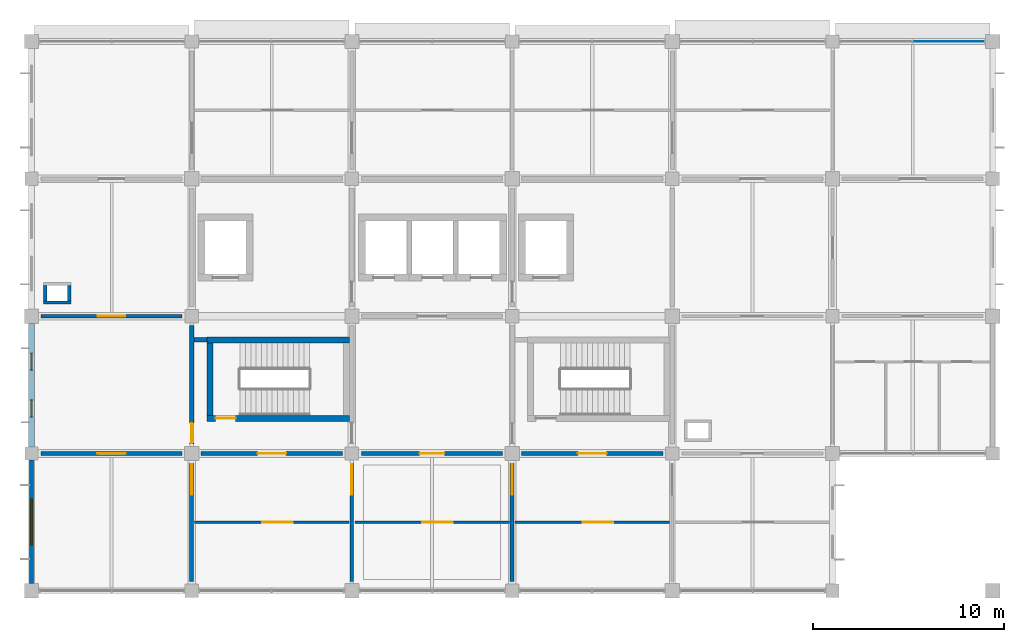
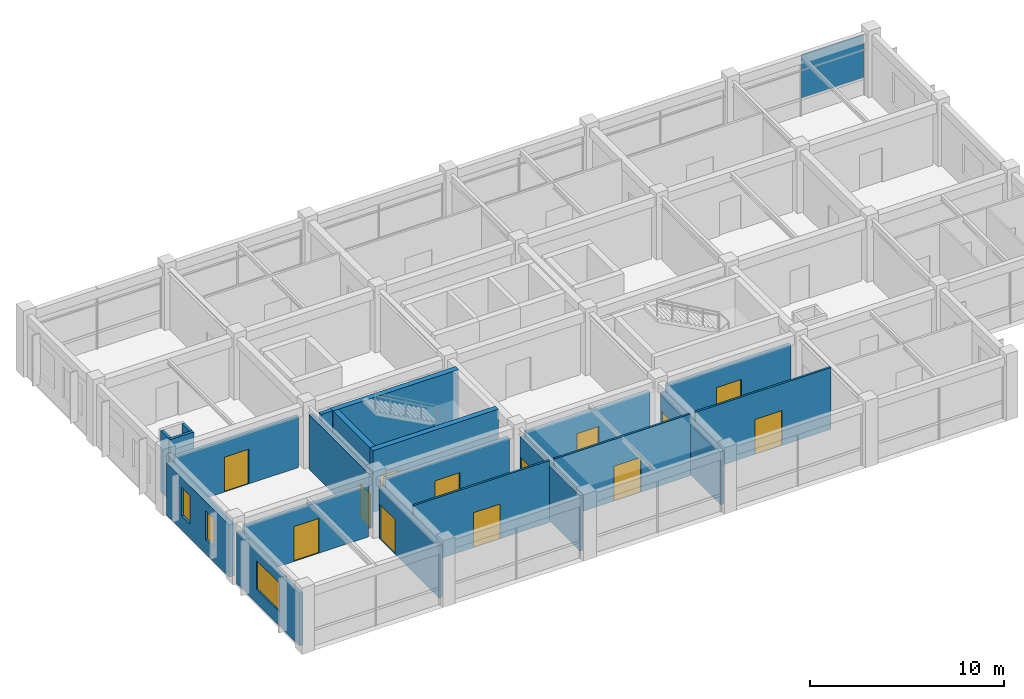
# One storey, part 8 of 13: 21 walls, 13 doors, 3 windows, 1 plate, 16 openings, 1 element without a shape of its own.
"""IFC4 building model written with IfcOpenShell, lengths in metres."""

from ifc_helpers import new_model, si_unit, derived_unit, direction, frame, frame_2d, origin, origin_2d, place, context, subcontext, project, spatial, rectangle, extrude, material, layer, layer_set, type_object, element, fill, aggregate, save


model = new_model("IFC4")

# Units and contexts
model_context = context("Model", 3, precision=1e-05, world=origin(), true_north=direction((0.0, 1.0)))
body_context = subcontext(model_context, "Body", "Model", "MODEL_VIEW")
ifc_project = project(units=[si_unit("LENGTHUNIT", "METRE"), si_unit("AREAUNIT", "SQUARE_METRE"), si_unit("VOLUMEUNIT", "CUBIC_METRE"), si_unit("PLANEANGLEUNIT", "RADIAN"), si_unit("MASSUNIT", "GRAM", prefix="KILO"), derived_unit("THERMALTRANSMITTANCEUNIT", [(si_unit("MASSUNIT", "GRAM", prefix="KILO"), 1), (si_unit("TIMEUNIT", "SECOND"), -3), (si_unit("THERMODYNAMICTEMPERATUREUNIT", "KELVIN"), -1)])], contexts=[model_context])

# Site, building, storey
site_placement = place(None, origin())
site = spatial("IfcSite", under=ifc_project, at=site_placement, CompositionType="ELEMENT")
building_placement = place(site_placement, origin())
building = spatial("IfcBuilding", under=site, at=building_placement, Name="Veldstrom Oceanarium and Marine Research Institute", CompositionType="ELEMENT")
storey_placement = place(building_placement, frame((0.0, 0.0, 39.60009765625)))
storey = spatial("IfcBuildingStorey", under=building, at=storey_placement, Name="L08", CompositionType="ELEMENT", Elevation=39.60009765625)

# Curtain wall, plate
ifc_material_1 = material(Name="Anodised Aluminium Framing", Category="aluminium")
curtain_wall_type = type_object("IfcCurtainWallType", Name="ARC-CW-CW04", PredefinedType="USERDEFINED", material=ifc_material_1)
curtain_wall_placement = place(storey_placement, origin())
curtain_wall = element("IfcCurtainWall", 1, at=curtain_wall_placement, inside=storey, type_object=curtain_wall_type, Name="Curtain Wall CW04 CW-L08-133", ObjectType="Curtain wall", PredefinedType="USERDEFINED")
ifc_material_2 = material(Name="Double Glazed Low-E IGU", Category="glass")
ifc_layer_1 = layer(ifc_material_2, 0.035888671875)
ifc_layer_set_1 = layer_set([ifc_layer_1], Name="ARC-PLT-CP03")
plate_type = type_object("IfcPlateType", Name="ARC-PLT-CP03", PredefinedType="CURTAIN_PANEL", material=ifc_layer_set_1)
plate_placement = place(storey_placement, frame((115.2861328125, 72.0, 1.08984375), z_axis=(0.0, 0.0, 1.0), x_axis=(1.0, 0.0, 0.0)))
plate = element("IfcPlate", 2, at=plate_placement, type_object=plate_type, Name="Curtain Vision Panel CW-L08-133-PNL-V2", PredefinedType="CURTAIN_PANEL", context=body_context, shape_type="SweptSolid", body=[
    extrude(rectangle(XDim=3.717529296875, YDim=0.035888671875, at=origin_2d()), origin(), (0.0, 0.0, 1.0), 2.739990234375),
])
aggregate(curtain_wall, [plate])

# Wall, openings, windows
ifc_material_3 = material(Name="Masonry Cavity Wall", Category="masonry")
ifc_layer_2 = layer(ifc_material_3, 0.31005859375)
ifc_layer_set_2 = layer_set([ifc_layer_2], Name="ARC-WAL-EW1")
wall_type_1 = type_object("IfcWallType", Name="ARC-WAL-EW1", PredefinedType="SOLIDWALL", material=ifc_layer_set_2)
wall_1_placement = place(storey_placement, frame((67.199951171875, 50.75, 0.0), z_axis=(0.0, 0.0, 1.0), x_axis=(0.0, 1.0, 0.0)))
wall_1 = element("IfcWall", 3, at=wall_1_placement, inside=storey, type_object=wall_type_1, Name="Exterior Facade Wall EW1 L08-205", PredefinedType="SOLIDWALL", context=body_context, shape_type="SweptSolid", body=[
    extrude(rectangle(XDim=6.47509765625, YDim=0.31005859375, at=frame_2d((3.237548828125, 0.0))), origin(), (0.0, 0.0, 1.0), 3.294921875),
])
opening_1_placement = place(wall_1_placement, frame((1.558349609375, 0.0, 0.89990234375)))
opening_1 = element("IfcOpeningElement", 4, at=opening_1_placement, cuts=wall_1, Name="Opening W06", PredefinedType="OPENING", context=body_context, shape_type="SweptSolid", body=[
    extrude(rectangle(XDim=0.89990234375, YDim=1.800048828125, at=frame_2d((0.449951171875, 0.89990234375))), frame((0.0, 0.1650390625, 0.0), z_axis=(0.0, -1.0, 0.0), x_axis=(1.0, 0.0, 0.0)), (0.0, 0.0, 1.0), 0.330078125),
])
opening_2_placement = place(wall_1_placement, frame((4.0166015625, 0.0, 0.89990234375)))
opening_2 = element("IfcOpeningElement", 5, at=opening_2_placement, cuts=wall_1, Name="Opening W06", PredefinedType="OPENING", context=body_context, shape_type="SweptSolid", body=[
    extrude(rectangle(XDim=0.89990234375, YDim=1.800048828125, at=frame_2d((0.449951171875, 0.89990234375))), frame((0.0, 0.1650390625, 0.0), z_axis=(0.0, -1.0, 0.0), x_axis=(1.0, 0.0, 0.0)), (0.0, 0.0, 1.0), 0.330078125),
])
ifc_material_4 = material(Name="Double Glazed Low-E IGU", Category="glass")
window_type_1 = type_object("IfcWindowType", Name="ARC-WIN-W06", PartitioningType="SINGLE_PANEL", PredefinedType="WINDOW", material=ifc_material_4)
window_1_placement = place(opening_1_placement, origin())
window_1 = element("IfcWindow", 6, at=window_1_placement, inside=storey, type_object=window_type_1, Name="Facade Window W06 L08-0177", OverallHeight=1.800048828125, OverallWidth=0.89990234375, PartitioningType="SINGLE_PANEL", PredefinedType="WINDOW", context=body_context, shape_type="SweptSolid", body=[
    extrude(rectangle(XDim=0.89990234375, YDim=1.800048828125, at=frame_2d((0.449951171875, 0.89990234375))), frame((0.0, 0.030029296875, 0.0), z_axis=(0.0, -1.0, 0.0), x_axis=(1.0, 0.0, 0.0)), (0.0, 0.0, 1.0), 0.06005859375),
])
fill(opening_1, window_1)
window_2_placement = place(opening_2_placement, origin())
window_2 = element("IfcWindow", 7, at=window_2_placement, inside=storey, type_object=window_type_1, Name="Facade Window W06 L08-0178", OverallHeight=1.800048828125, OverallWidth=0.89990234375, PartitioningType="SINGLE_PANEL", PredefinedType="WINDOW", context=body_context, shape_type="SweptSolid", body=[
    extrude(rectangle(XDim=0.89990234375, YDim=1.800048828125, at=frame_2d((0.449951171875, 0.89990234375))), frame((0.0, 0.030029296875, 0.0), z_axis=(0.0, -1.0, 0.0), x_axis=(1.0, 0.0, 0.0)), (0.0, 0.0, 1.0), 0.06005859375),
])
fill(opening_2, window_2)

# Wall, opening, window
ifc_material_5 = material(Name="Masonry Cavity Wall", Category="masonry")
ifc_layer_3 = layer(ifc_material_5, 0.215087890625)
ifc_layer_set_3 = layer_set([ifc_layer_3], Name="ARC-WAL-EW6")
wall_type_2 = type_object("IfcWallType", Name="ARC-WAL-EW6", PredefinedType="SOLIDWALL", material=ifc_layer_set_3)
wall_2_placement = place(storey_placement, frame((67.199951171875, 43.574951171875, 0.0), z_axis=(0.0, 0.0, 1.0), x_axis=(0.0, 1.0, 0.0)))
wall_2 = element("IfcWall", 8, at=wall_2_placement, inside=storey, type_object=wall_type_2, Name="Exterior Facade Wall EW6 L08-204", PredefinedType="SOLIDWALL", context=body_context, shape_type="SweptSolid", body=[
    extrude(rectangle(XDim=6.47509765625, YDim=0.215087890625, at=frame_2d((3.237548828125, 0.0))), origin(), (0.0, 0.0, 1.0), 3.294921875),
])
opening_3_placement = place(wall_2_placement, frame((2.03759765625, 0.0, 0.89990234375)))
opening_3 = element("IfcOpeningElement", 9, at=opening_3_placement, cuts=wall_2, Name="Opening W01", PredefinedType="OPENING", context=body_context, shape_type="SweptSolid", body=[
    extrude(rectangle(XDim=2.39990234375, YDim=1.800048828125, at=frame_2d((1.199951171875, 0.89990234375))), frame((0.0, 0.117431640625, 0.0), z_axis=(0.0, -1.0, 0.0), x_axis=(1.0, 0.0, 0.0)), (0.0, 0.0, 1.0), 0.235107421875),
])
ifc_material_6 = material(Name="Double Glazed Low-E IGU", Category="glass")
window_type_2 = type_object("IfcWindowType", Name="ARC-WIN-W01", PartitioningType="SINGLE_PANEL", PredefinedType="WINDOW", material=ifc_material_6)
window_3_placement = place(opening_3_placement, origin())
window_3 = element("IfcWindow", 10, at=window_3_placement, inside=storey, type_object=window_type_2, Name="Facade Window W01 L08-0176", OverallHeight=1.800048828125, OverallWidth=2.39990234375, PartitioningType="SINGLE_PANEL", PredefinedType="WINDOW", context=body_context, shape_type="SweptSolid", body=[
    extrude(rectangle(XDim=2.39990234375, YDim=1.800048828125, at=frame_2d((1.199951171875, 0.89990234375))), frame((0.0, 0.030029296875, 0.0), z_axis=(0.0, -1.0, 0.0), x_axis=(1.0, 0.0, 0.0)), (0.0, 0.0, 1.0), 0.06005859375),
])
fill(opening_3, window_3)

# Wall, opening, door
ifc_material_7 = material(Name="Masonry Fire Compartment Wall", Category="masonry")
ifc_layer_4 = layer(ifc_material_7, 0.22998046875)
ifc_layer_set_4 = layer_set([ifc_layer_4], Name="ARC-WAL-PT1")
wall_type_3 = type_object("IfcWallType", Name="ARC-WAL-PT1", PredefinedType="PARTITIONING", material=ifc_layer_set_4)
wall_3_placement = place(storey_placement, frame((75.60009765625, 50.89990234375, 0.0), z_axis=(0.0, 0.0, 1.0), x_axis=(0.0, 1.0, 0.0)))
wall_3 = element("IfcWall", 11, at=wall_3_placement, inside=storey, type_object=wall_type_3, Name="Interior Partition PT1 L08-1568", PredefinedType="PARTITIONING", context=body_context, shape_type="SweptSolid", body=[
    extrude(rectangle(XDim=6.2001953125, YDim=0.22998046875, at=frame_2d((3.10009765625, 0.0))), origin(), (0.0, 0.0, 1.0), 3.44482421875),
])
opening_4_placement = place(wall_3_placement, frame((0.050048828125, 0.0, 0.0)))
opening_4 = element("IfcOpeningElement", 12, at=opening_4_placement, cuts=wall_3, Name="Opening D-L08-951", PredefinedType="OPENING", context=body_context, shape_type="SweptSolid", body=[
    extrude(rectangle(XDim=1.050048828125, YDim=2.14990234375, at=frame_2d((0.52490234375, 1.074951171875))), frame((0.0, 0.125, 0.0), z_axis=(0.0, -1.0, 0.0), x_axis=(1.0, 0.0, 0.0)), (0.0, 0.0, 1.0), 0.25),
])
ifc_material_8 = material(Name="Painted Steel Fire Door", Category="steel")
door_type_1 = type_object("IfcDoorType", Name="ARC-DOR-SD1", OperationType="SINGLE_SWING_LEFT", PredefinedType="DOOR", material=ifc_material_8)
door_1_placement = place(opening_4_placement, origin())
door_1 = element("IfcDoor", 13, at=door_1_placement, inside=storey, type_object=door_type_1, Name="Interior Door D-L08-951", OperationType="SINGLE_SWING_LEFT", OverallHeight=2.14990234375, OverallWidth=1.050048828125, PredefinedType="DOOR", context=body_context, shape_type="SweptSolid", body=[
    extrude(rectangle(XDim=1.050048828125, YDim=2.14990234375, at=frame_2d((0.52490234375, 1.074951171875))), frame((0.0, 0.02490234375, 0.0), z_axis=(0.0, -1.0, 0.0), x_axis=(1.0, 0.0, 0.0)), (0.0, 0.0, 1.0), 0.050048828125),
])
fill(opening_4, door_1)

wall_4_placement = place(storey_placement, frame((76.10009765625, 50.39990234375, 0.0), z_axis=(0.0, 0.0, 1.0), x_axis=(1.0, 0.0, 0.0)))
wall_4 = element("IfcWall", 14, at=wall_4_placement, inside=storey, type_object=wall_type_3, Name="Interior Partition PT1 L08-1574", PredefinedType="PARTITIONING", context=body_context, shape_type="SweptSolid", body=[
    extrude(rectangle(XDim=7.39990234375, YDim=0.22998046875, at=frame_2d((3.699951171875, 0.0))), origin(), (0.0, 0.0, 1.0), 3.294921875),
])
opening_5_placement = place(wall_4_placement, frame((2.949951171875, 0.0, 0.0)))
opening_5 = element("IfcOpeningElement", 15, at=opening_5_placement, cuts=wall_4, Name="Opening D-L08-956", PredefinedType="OPENING", context=body_context, shape_type="SweptSolid", body=[
    extrude(rectangle(XDim=1.5, YDim=2.14990234375, at=frame_2d((0.75, 1.074951171875))), frame((0.0, 0.125, 0.0), z_axis=(0.0, -1.0, 0.0), x_axis=(1.0, 0.0, 0.0)), (0.0, 0.0, 1.0), 0.25),
])
ifc_material_9 = material(Name="Painted Steel Lobby Fire Door", Category="steel")
door_type_2 = type_object("IfcDoorType", Name="ARC-DOR-SD2", OperationType="DOUBLE_DOOR_SINGLE_SWING", PredefinedType="DOOR", material=ifc_material_9)
door_2_placement = place(opening_5_placement, frame((1.5, 0.0, 0.0), z_axis=(0.0, 0.0, 1.0), x_axis=(-1.0, 0.0, 0.0)))
door_2 = element("IfcDoor", 16, at=door_2_placement, inside=storey, type_object=door_type_2, Name="Interior Door D-L08-956", OperationType="DOUBLE_DOOR_SINGLE_SWING", OverallHeight=2.14990234375, OverallWidth=1.5, PredefinedType="DOOR", context=body_context, shape_type="SweptSolid", body=[
    extrude(rectangle(XDim=1.5, YDim=2.14990234375, at=frame_2d((0.75, 1.074951171875))), frame((0.0, 0.02490234375, 0.0), z_axis=(0.0, -1.0, 0.0), x_axis=(1.0, 0.0, 0.0)), (0.0, 0.0, 1.0), 0.050048828125),
])
fill(opening_5, door_2)

# Wall
wall_5_placement = place(storey_placement, frame((75.719970703125, 56.360107421875, 0.0), z_axis=(0.0, 0.0, 1.0), x_axis=(1.0, 0.0, 0.0)))
element("IfcWall", 17, at=wall_5_placement, inside=storey, type_object=wall_type_3, Name="Interior Partition PT1 L08-1576", PredefinedType="PARTITIONING", context=body_context, shape_type="SweptSolid", body=[
    extrude(rectangle(XDim=0.679931640625, YDim=0.22998046875, at=frame_2d((0.33984375, 0.0))), origin(), (0.0, 0.0, 1.0), 3.89990234375),
])

# Wall, opening, door
wall_6_placement = place(storey_placement, frame((92.89990234375, 50.39990234375, 0.0), z_axis=(0.0, 0.0, 1.0), x_axis=(1.0, 0.0, 0.0)))
wall_6 = element("IfcWall", 18, at=wall_6_placement, inside=storey, type_object=wall_type_3, Name="Interior Partition PT1 L08-1588", PredefinedType="PARTITIONING", context=body_context, shape_type="SweptSolid", body=[
    extrude(rectangle(XDim=7.400146484375, YDim=0.22998046875, at=frame_2d((3.7001953125, 0.0))), origin(), (0.0, 0.0, 1.0), 3.294921875),
])
opening_6_placement = place(wall_6_placement, frame((2.949951171875, 0.0, 0.0)))
opening_6 = element("IfcOpeningElement", 19, at=opening_6_placement, cuts=wall_6, Name="Opening D-L08-966", PredefinedType="OPENING", context=body_context, shape_type="SweptSolid", body=[
    extrude(rectangle(XDim=1.5, YDim=2.14990234375, at=frame_2d((0.75, 1.074951171875))), frame((0.0, 0.125, 0.0), z_axis=(0.0, -1.0, 0.0), x_axis=(1.0, 0.0, 0.0)), (0.0, 0.0, 1.0), 0.25),
])
door_3_placement = place(opening_6_placement, frame((1.5, 0.0, 0.0), z_axis=(0.0, 0.0, 1.0), x_axis=(-1.0, 0.0, 0.0)))
door_3 = element("IfcDoor", 20, at=door_3_placement, inside=storey, type_object=door_type_2, Name="Interior Door D-L08-966", OperationType="DOUBLE_DOOR_SINGLE_SWING", OverallHeight=2.14990234375, OverallWidth=1.5, PredefinedType="DOOR", context=body_context, shape_type="SweptSolid", body=[
    extrude(rectangle(XDim=1.5, YDim=2.14990234375, at=frame_2d((0.75, 1.074951171875))), frame((0.0, 0.02490234375, 0.0), z_axis=(0.0, -1.0, 0.0), x_axis=(1.0, 0.0, 0.0)), (0.0, 0.0, 1.0), 0.050048828125),
])
fill(opening_6, door_3)

ifc_material_10 = material(Name="Gypsum Acoustic Lab Partition", Category="gypsum")
ifc_layer_5 = layer(ifc_material_10, 0.1201171875)
ifc_layer_set_5 = layer_set([ifc_layer_5], Name="ARC-WAL-PT10")
wall_type_4 = type_object("IfcWallType", Name="ARC-WAL-PT10", PredefinedType="PARTITIONING", material=ifc_layer_set_5)
wall_7_placement = place(storey_placement, frame((75.75, 46.800048828125, 0.0), z_axis=(0.0, 0.0, 1.0), x_axis=(1.0, 0.0, 0.0)))
wall_7 = element("IfcWall", 21, at=wall_7_placement, inside=storey, type_object=wall_type_4, Name="Laboratory Suite Partition L08-9/6", PredefinedType="PARTITIONING", context=body_context, shape_type="SweptSolid", body=[
    extrude(rectangle(XDim=8.10009765625, YDim=0.1201171875, at=frame_2d((4.050048828125, 0.0))), origin(), (0.0, 0.0, 1.0), 3.89990234375),
])
opening_7_placement = place(wall_7_placement, frame((3.550048828125, 0.0, 0.0)))
opening_7 = element("IfcOpeningElement", 22, at=opening_7_placement, cuts=wall_7, Name="Opening D-L08-S941", PredefinedType="OPENING", context=body_context, shape_type="SweptSolid", body=[
    extrude(rectangle(XDim=1.60009765625, YDim=2.199951171875, at=frame_2d((0.800048828125, 1.10009765625))), frame((0.0, 0.070068359375, 0.0), z_axis=(0.0, -1.0, 0.0), x_axis=(1.0, 0.0, 0.0)), (0.0, 0.0, 1.0), 0.14013671875),
])
ifc_material_11 = material(Name="Acoustic Timber Corridor Door", Category="wood")
door_type_3 = type_object("IfcDoorType", Name="ARC-DOR-ID02", OperationType="DOUBLE_DOOR_SINGLE_SWING", PredefinedType="DOOR", material=ifc_material_11)
door_4_placement = place(opening_7_placement, frame((1.60009765625, 0.0, 0.0), z_axis=(0.0, 0.0, 1.0), x_axis=(-1.0, 0.0, 0.0)))
door_4 = element("IfcDoor", 23, at=door_4_placement, inside=storey, type_object=door_type_3, Name="Suite Interior Door D-L08-S941", OperationType="SINGLE_SWING_LEFT", OverallHeight=2.199951171875, OverallWidth=1.60009765625, PredefinedType="DOOR", context=body_context, shape_type="SweptSolid", body=[
    extrude(rectangle(XDim=1.60009765625, YDim=2.199951171875, at=frame_2d((0.800048828125, 1.10009765625))), frame((0.0, 0.02490234375, 0.0), z_axis=(0.0, -1.0, 0.0), x_axis=(1.0, 0.0, 0.0)), (0.0, 0.0, 1.0), 0.050048828125),
])
fill(opening_7, door_4)

wall_8_placement = place(storey_placement, frame((84.14990234375, 46.800048828125, 0.0), z_axis=(0.0, 0.0, 1.0), x_axis=(1.0, 0.0, 0.0)))
wall_8 = element("IfcWall", 24, at=wall_8_placement, inside=storey, type_object=wall_type_4, Name="Laboratory Suite Partition L08-10/6", PredefinedType="PARTITIONING", context=body_context, shape_type="SweptSolid", body=[
    extrude(rectangle(XDim=8.10009765625, YDim=0.1201171875, at=frame_2d((4.050048828125, 0.0))), origin(), (0.0, 0.0, 1.0), 3.89990234375),
])
opening_8_placement = place(wall_8_placement, frame((3.550048828125, 0.0, 0.0)))
opening_8 = element("IfcOpeningElement", 25, at=opening_8_placement, cuts=wall_8, Name="Opening D-L08-S942", PredefinedType="OPENING", context=body_context, shape_type="SweptSolid", body=[
    extrude(rectangle(XDim=1.60009765625, YDim=2.199951171875, at=frame_2d((0.800048828125, 1.10009765625))), frame((0.0, 0.070068359375, 0.0), z_axis=(0.0, -1.0, 0.0), x_axis=(1.0, 0.0, 0.0)), (0.0, 0.0, 1.0), 0.14013671875),
])
door_5_placement = place(opening_8_placement, frame((1.60009765625, 0.0, 0.0), z_axis=(0.0, 0.0, 1.0), x_axis=(-1.0, 0.0, 0.0)))
door_5 = element("IfcDoor", 26, at=door_5_placement, inside=storey, type_object=door_type_3, Name="Suite Interior Door D-L08-S942", OperationType="SINGLE_SWING_RIGHT", OverallHeight=2.199951171875, OverallWidth=1.60009765625, PredefinedType="DOOR", context=body_context, shape_type="SweptSolid", body=[
    extrude(rectangle(XDim=1.60009765625, YDim=2.199951171875, at=frame_2d((0.800048828125, 1.10009765625))), frame((0.0, 0.02490234375, 0.0), z_axis=(0.0, -1.0, 0.0), x_axis=(1.0, 0.0, 0.0)), (0.0, 0.0, 1.0), 0.050048828125),
])
fill(opening_8, door_5)

wall_9_placement = place(storey_placement, frame((92.550048828125, 46.800048828125, 0.0), z_axis=(0.0, 0.0, 1.0), x_axis=(1.0, 0.0, 0.0)))
wall_9 = element("IfcWall", 27, at=wall_9_placement, inside=storey, type_object=wall_type_4, Name="Laboratory Suite Partition L08-11/6", PredefinedType="PARTITIONING", context=body_context, shape_type="SweptSolid", body=[
    extrude(rectangle(XDim=8.099853515625, YDim=0.1201171875, at=frame_2d((4.0498046875, 0.0))), origin(), (0.0, 0.0, 1.0), 3.89990234375),
])
opening_9_placement = place(wall_9_placement, frame((3.550048828125, 0.0, 0.0)))
opening_9 = element("IfcOpeningElement", 28, at=opening_9_placement, cuts=wall_9, Name="Opening D-L08-S943", PredefinedType="OPENING", context=body_context, shape_type="SweptSolid", body=[
    extrude(rectangle(XDim=1.60009765625, YDim=2.199951171875, at=frame_2d((0.800048828125, 1.10009765625))), frame((0.0, 0.070068359375, 0.0), z_axis=(0.0, -1.0, 0.0), x_axis=(1.0, 0.0, 0.0)), (0.0, 0.0, 1.0), 0.14013671875),
])
door_6_placement = place(opening_9_placement, frame((1.60009765625, 0.0, 0.0), z_axis=(0.0, 0.0, 1.0), x_axis=(-1.0, 0.0, 0.0)))
door_6 = element("IfcDoor", 29, at=door_6_placement, inside=storey, type_object=door_type_3, Name="Suite Interior Door D-L08-S943", OperationType="SINGLE_SWING_LEFT", OverallHeight=2.199951171875, OverallWidth=1.60009765625, PredefinedType="DOOR", context=body_context, shape_type="SweptSolid", body=[
    extrude(rectangle(XDim=1.60009765625, YDim=2.199951171875, at=frame_2d((0.800048828125, 1.10009765625))), frame((0.0, 0.02490234375, 0.0), z_axis=(0.0, -1.0, 0.0), x_axis=(1.0, 0.0, 0.0)), (0.0, 0.0, 1.0), 0.050048828125),
])
fill(opening_9, door_6)

ifc_material_12 = material(Name="Masonry Acoustic Lab Partition", Category="masonry")
ifc_layer_6 = layer(ifc_material_12, 0.205078125)
ifc_layer_set_6 = layer_set([ifc_layer_6], Name="ARC-WAL-PT2")
wall_type_5 = type_object("IfcWallType", Name="ARC-WAL-PT2", PredefinedType="PARTITIONING", material=ifc_layer_set_6)
wall_10_placement = place(storey_placement, frame((75.60009765625, 43.699951171875, 0.0), z_axis=(0.0, 0.0, 1.0), x_axis=(0.0, 1.0, 0.0)))
wall_10 = element("IfcWall", 30, at=wall_10_placement, inside=storey, type_object=wall_type_5, Name="Interior Partition PT2 L08-1566", PredefinedType="PARTITIONING", context=body_context, shape_type="SweptSolid", body=[
    extrude(rectangle(XDim=6.199951171875, YDim=0.205078125, at=frame_2d((3.10009765625, 0.0))), origin(), (0.0, 0.0, 1.0), 3.294921875),
])
opening_10_placement = place(wall_10_placement, frame((4.550048828125, 0.0, 0.0)))
opening_10 = element("IfcOpeningElement", 31, at=opening_10_placement, cuts=wall_10, Name="Opening D-L08-949", PredefinedType="OPENING", context=body_context, shape_type="SweptSolid", body=[
    extrude(rectangle(XDim=1.60009765625, YDim=2.199951171875, at=frame_2d((0.800048828125, 1.10009765625))), frame((0.0, 0.112548828125, 0.0), z_axis=(0.0, -1.0, 0.0), x_axis=(1.0, 0.0, 0.0)), (0.0, 0.0, 1.0), 0.22509765625),
])
door_7_placement = place(opening_10_placement, frame((1.60009765625, 0.0, 0.0), z_axis=(0.0, 0.0, 1.0), x_axis=(-1.0, 0.0, 0.0)))
door_7 = element("IfcDoor", 32, at=door_7_placement, inside=storey, type_object=door_type_3, Name="Interior Door D-L08-949", OperationType="DOUBLE_DOOR_SINGLE_SWING", OverallHeight=2.199951171875, OverallWidth=1.60009765625, PredefinedType="DOOR", context=body_context, shape_type="SweptSolid", body=[
    extrude(rectangle(XDim=1.60009765625, YDim=2.199951171875, at=frame_2d((0.800048828125, 1.10009765625))), frame((0.0, 0.02490234375, 0.0), z_axis=(0.0, -1.0, 0.0), x_axis=(1.0, 0.0, 0.0)), (0.0, 0.0, 1.0), 0.050048828125),
])
fill(opening_10, door_7)

wall_11_placement = place(storey_placement, frame((67.699951171875, 50.39990234375, 0.0), z_axis=(0.0, 0.0, 1.0), x_axis=(1.0, 0.0, 0.0)))
wall_11 = element("IfcWall", 33, at=wall_11_placement, inside=storey, type_object=wall_type_5, Name="Interior Partition PT2 L08-1567", PredefinedType="PARTITIONING", context=body_context, shape_type="SweptSolid", body=[
    extrude(rectangle(XDim=7.400146484375, YDim=0.205078125, at=frame_2d((3.7001953125, 0.0))), origin(), (0.0, 0.0, 1.0), 3.244873046875),
])
opening_11_placement = place(wall_11_placement, frame((2.949951171875, 0.0, 0.0)))
opening_11 = element("IfcOpeningElement", 34, at=opening_11_placement, cuts=wall_11, Name="Opening D-L08-950", PredefinedType="OPENING", context=body_context, shape_type="SweptSolid", body=[
    extrude(rectangle(XDim=1.5, YDim=2.199951171875, at=frame_2d((0.75, 1.10009765625))), frame((0.0, 0.112548828125, 0.0), z_axis=(0.0, -1.0, 0.0), x_axis=(1.0, 0.0, 0.0)), (0.0, 0.0, 1.0), 0.22509765625),
])
ifc_material_13 = material(Name="Laboratory Double Leaf Door", Category="timber")
door_type_4 = type_object("IfcDoorType", Name="ARC-DOR-ID03", OperationType="DOUBLE_DOOR_SINGLE_SWING", PredefinedType="DOOR", material=ifc_material_13)
door_8_placement = place(opening_11_placement, origin())
door_8 = element("IfcDoor", 35, at=door_8_placement, inside=storey, type_object=door_type_4, Name="Interior Door D-L08-950", OperationType="DOUBLE_DOOR_SINGLE_SWING", OverallHeight=2.199951171875, OverallWidth=1.5, PredefinedType="DOOR", context=body_context, shape_type="SweptSolid", body=[
    extrude(rectangle(XDim=1.5, YDim=2.199951171875, at=frame_2d((0.75, 1.10009765625))), frame((0.0, 0.02490234375, 0.0), z_axis=(0.0, -1.0, 0.0), x_axis=(1.0, 0.0, 0.0)), (0.0, 0.0, 1.0), 0.050048828125),
])
fill(opening_11, door_8)

wall_12_placement = place(storey_placement, frame((92.39990234375, 43.699951171875, 0.0), z_axis=(0.0, 0.0, 1.0), x_axis=(0.0, 1.0, 0.0)))
wall_12 = element("IfcWall", 36, at=wall_12_placement, inside=storey, type_object=wall_type_5, Name="Interior Partition PT2 L08-1580", PredefinedType="PARTITIONING", context=body_context, shape_type="SweptSolid", body=[
    extrude(rectangle(XDim=6.199951171875, YDim=0.205078125, at=frame_2d((3.10009765625, 0.0))), origin(), (0.0, 0.0, 1.0), 3.344970703125),
])
opening_12_placement = place(wall_12_placement, frame((4.550048828125, 0.0, 0.0)))
opening_12 = element("IfcOpeningElement", 37, at=opening_12_placement, cuts=wall_12, Name="Opening D-L08-960", PredefinedType="OPENING", context=body_context, shape_type="SweptSolid", body=[
    extrude(rectangle(XDim=1.60009765625, YDim=2.199951171875, at=frame_2d((0.800048828125, 1.10009765625))), frame((0.0, 0.112548828125, 0.0), z_axis=(0.0, -1.0, 0.0), x_axis=(1.0, 0.0, 0.0)), (0.0, 0.0, 1.0), 0.22509765625),
])
door_9_placement = place(opening_12_placement, frame((1.60009765625, 0.0, 0.0), z_axis=(0.0, 0.0, 1.0), x_axis=(-1.0, 0.0, 0.0)))
door_9 = element("IfcDoor", 38, at=door_9_placement, inside=storey, type_object=door_type_3, Name="Interior Door D-L08-960", OperationType="DOUBLE_DOOR_SINGLE_SWING", OverallHeight=2.199951171875, OverallWidth=1.60009765625, PredefinedType="DOOR", context=body_context, shape_type="SweptSolid", body=[
    extrude(rectangle(XDim=1.60009765625, YDim=2.199951171875, at=frame_2d((0.800048828125, 1.10009765625))), frame((0.0, 0.02490234375, 0.0), z_axis=(0.0, -1.0, 0.0), x_axis=(1.0, 0.0, 0.0)), (0.0, 0.0, 1.0), 0.050048828125),
])
fill(opening_12, door_9)

wall_13_placement = place(storey_placement, frame((84.5, 50.39990234375, 0.0), z_axis=(0.0, 0.0, 1.0), x_axis=(1.0, 0.0, 0.0)))
wall_13 = element("IfcWall", 39, at=wall_13_placement, inside=storey, type_object=wall_type_5, Name="Interior Partition PT2 L08-1581", PredefinedType="PARTITIONING", context=body_context, shape_type="SweptSolid", body=[
    extrude(rectangle(XDim=7.39990234375, YDim=0.205078125, at=frame_2d((3.699951171875, 0.0))), origin(), (0.0, 0.0, 1.0), 3.294921875),
])
opening_13_placement = place(wall_13_placement, frame((3.050048828125, 0.0, 0.0)))
opening_13 = element("IfcOpeningElement", 40, at=opening_13_placement, cuts=wall_13, Name="Opening D-L08-961", PredefinedType="OPENING", context=body_context, shape_type="SweptSolid", body=[
    extrude(rectangle(XDim=1.300048828125, YDim=2.14990234375, at=frame_2d((0.64990234375, 1.074951171875))), frame((0.0, 0.112548828125, 0.0), z_axis=(0.0, -1.0, 0.0), x_axis=(1.0, 0.0, 0.0)), (0.0, 0.0, 1.0), 0.22509765625),
])
ifc_material_14 = material(Name="Wet Lab Leaf-and-Half Door", Category="timber")
door_type_5 = type_object("IfcDoorType", Name="ARC-DOR-ID05", OperationType="SINGLE_SWING_LEFT", PredefinedType="DOOR", material=ifc_material_14)
door_10_placement = place(opening_13_placement, frame((1.300048828125, 0.0, 0.0), z_axis=(0.0, 0.0, 1.0), x_axis=(-1.0, 0.0, 0.0)))
door_10 = element("IfcDoor", 41, at=door_10_placement, inside=storey, type_object=door_type_5, Name="Interior Door D-L08-961", OperationType="SINGLE_SWING_RIGHT", OverallHeight=2.14990234375, OverallWidth=1.300048828125, PredefinedType="DOOR", context=body_context, shape_type="SweptSolid", body=[
    extrude(rectangle(XDim=1.300048828125, YDim=2.14990234375, at=frame_2d((0.64990234375, 1.074951171875))), frame((0.0, 0.02490234375, 0.0), z_axis=(0.0, -1.0, 0.0), x_axis=(1.0, 0.0, 0.0)), (0.0, 0.0, 1.0), 0.050048828125),
])
fill(opening_13, door_10)

ifc_material_15 = material(Name="Drywall Acoustic Partition", Category="gypsum")
ifc_layer_7 = layer(ifc_material_15, 0.175048828125)
ifc_layer_set_7 = layer_set([ifc_layer_7], Name="ARC-WAL-PT3")
wall_type_6 = type_object("IfcWallType", Name="ARC-WAL-PT3", PredefinedType="PARTITIONING", material=ifc_layer_set_7)
wall_14_placement = place(storey_placement, frame((67.699951171875, 57.60009765625, 0.0), z_axis=(0.0, 0.0, 1.0), x_axis=(1.0, 0.0, 0.0)))
wall_14 = element("IfcWall", 42, at=wall_14_placement, inside=storey, type_object=wall_type_6, Name="Interior Partition PT3 L08-1569", PredefinedType="PARTITIONING", context=body_context, shape_type="SweptSolid", body=[
    extrude(rectangle(XDim=7.400146484375, YDim=0.175048828125, at=frame_2d((3.7001953125, 0.0))), origin(), (0.0, 0.0, 1.0), 3.244873046875),
])
opening_14_placement = place(wall_14_placement, frame((2.97509765625, 0.0, 0.0)))
opening_14 = element("IfcOpeningElement", 43, at=opening_14_placement, cuts=wall_14, Name="Opening D-L08-952", PredefinedType="OPENING", context=body_context, shape_type="SweptSolid", body=[
    extrude(rectangle(XDim=1.449951171875, YDim=2.199951171875, at=frame_2d((0.72509765625, 1.10009765625))), frame((0.0, 0.097412109375, 0.0), z_axis=(0.0, -1.0, 0.0), x_axis=(1.0, 0.0, 0.0)), (0.0, 0.0, 1.0), 0.195068359375),
])
ifc_material_16 = material(Name="Curatorial Archive Door", Category="timber")
door_type_6 = type_object("IfcDoorType", Name="ARC-DOR-ID14", OperationType="DOUBLE_DOOR_SINGLE_SWING", PredefinedType="DOOR", material=ifc_material_16)
door_11_placement = place(opening_14_placement, frame((1.449951171875, 0.0, 0.0), z_axis=(0.0, 0.0, 1.0), x_axis=(-1.0, 0.0, 0.0)))
door_11 = element("IfcDoor", 44, at=door_11_placement, inside=storey, type_object=door_type_6, Name="Interior Door D-L08-952", OperationType="DOUBLE_DOOR_SINGLE_SWING", OverallHeight=2.199951171875, OverallWidth=1.449951171875, PredefinedType="DOOR", context=body_context, shape_type="SweptSolid", body=[
    extrude(rectangle(XDim=1.449951171875, YDim=2.199951171875, at=frame_2d((0.72509765625, 1.10009765625))), frame((0.0, 0.02490234375, 0.0), z_axis=(0.0, -1.0, 0.0), x_axis=(1.0, 0.0, 0.0)), (0.0, 0.0, 1.0), 0.050048828125),
])
fill(opening_14, door_11)

wall_15_placement = place(storey_placement, frame((84.0, 43.699951171875, 0.0), z_axis=(0.0, 0.0, 1.0), x_axis=(0.0, 1.0, 0.0)))
wall_15 = element("IfcWall", 45, at=wall_15_placement, inside=storey, type_object=wall_type_6, Name="Interior Partition PT3 L08-1573", PredefinedType="PARTITIONING", context=body_context, shape_type="SweptSolid", body=[
    extrude(rectangle(XDim=6.199951171875, YDim=0.175048828125, at=frame_2d((3.10009765625, 0.0))), origin(), (0.0, 0.0, 1.0), 3.494873046875),
])
opening_15_placement = place(wall_15_placement, frame((4.550048828125, 0.0, 0.0)))
opening_15 = element("IfcOpeningElement", 46, at=opening_15_placement, cuts=wall_15, Name="Opening D-L08-955", PredefinedType="OPENING", context=body_context, shape_type="SweptSolid", body=[
    extrude(rectangle(XDim=1.60009765625, YDim=2.199951171875, at=frame_2d((0.800048828125, 1.10009765625))), frame((0.0, 0.097412109375, 0.0), z_axis=(0.0, -1.0, 0.0), x_axis=(1.0, 0.0, 0.0)), (0.0, 0.0, 1.0), 0.195068359375),
])
door_12_placement = place(opening_15_placement, origin())
door_12 = element("IfcDoor", 47, at=door_12_placement, inside=storey, type_object=door_type_3, Name="Interior Door D-L08-955", OperationType="DOUBLE_DOOR_SINGLE_SWING", OverallHeight=2.199951171875, OverallWidth=1.60009765625, PredefinedType="DOOR", context=body_context, shape_type="SweptSolid", body=[
    extrude(rectangle(XDim=1.60009765625, YDim=2.199951171875, at=frame_2d((0.800048828125, 1.10009765625))), frame((0.0, 0.02490234375, 0.0), z_axis=(0.0, -1.0, 0.0), x_axis=(1.0, 0.0, 0.0)), (0.0, 0.0, 1.0), 0.050048828125),
])
fill(opening_15, door_12)

# Walls
ifc_material_17 = material(Name="Service Riser Fire Shaft Wall", Category="masonry")
ifc_layer_8 = layer(ifc_material_17, 0.1650390625)
ifc_layer_set_8 = layer_set([ifc_layer_8], Name="ARC-WAL-PT9")
wall_type_7 = type_object("IfcWallType", Name="ARC-WAL-PT9", PredefinedType="PARTITIONING", material=ifc_layer_set_8)
wall_16_placement = place(storey_placement, frame((67.8349609375, 58.3173828125, 0.0), z_axis=(0.0, 0.0, 1.0), x_axis=(1.0, 0.0, 0.0)))
element("IfcWall", 48, at=wall_16_placement, inside=storey, type_object=wall_type_7, Name="Service Riser Fire Shaft Wall L08-CW-S", PredefinedType="PARTITIONING", context=body_context, shape_type="SweptSolid", body=[
    extrude(rectangle(XDim=1.429931640625, YDim=0.1650390625, at=frame_2d((0.71484375, 0.0))), origin(), (0.0, 0.0, 1.0), 3.849853515625),
])
for number, where, z_axis, x_axis, name in (
    (49, (67.91748046875, 58.39990234375, 0.0), (0.0, 0.0, 1.0), (0.0, 1.0, 0.0), "Service Riser Fire Shaft Wall L08-CW-W"),
    (50, (69.1826171875, 58.39990234375, 0.0), (0.0, 0.0, 1.0), (0.0, 1.0, 0.0), "Service Riser Fire Shaft Wall L08-CW-E"),
):
    element("IfcWall", number, at=place(storey_placement, frame(where, z_axis=z_axis, x_axis=x_axis)), inside=storey, type_object=wall_type_7, Name=name, PredefinedType="PARTITIONING", context=body_context, shape_type="SweptSolid", body=[
        extrude(rectangle(XDim=0.800048828125, YDim=0.1650390625, at=frame_2d((0.39990234375, 0.0))), origin(), (0.0, 0.0, 1.0), 3.849853515625),
    ])

# Wall, opening, door
ifc_material_18 = material(Name="Concrete C40/50", Category="concrete")
ifc_layer_9 = layer(ifc_material_18, 0.320068359375)
ifc_layer_set_9 = layer_set([ifc_layer_9], Name="STR-WAL-WC3")
wall_type_8 = type_object("IfcWallType", Name="STR-WAL-WC3", PredefinedType="SHEAR", material=ifc_layer_set_9)
wall_17_placement = place(storey_placement, frame((76.39990234375, 52.239990234375, 0.0), z_axis=(0.0, 0.0, 1.0), x_axis=(1.0, 0.0, 0.0)))
wall_17 = element("IfcWall", 51, at=wall_17_placement, inside=storey, type_object=wall_type_8, Name="Stair Core Shear Wall SC1-L08-S", PredefinedType="SHEAR", context=body_context, shape_type="SweptSolid", body=[
    extrude(rectangle(XDim=7.47998046875, YDim=0.320068359375, at=frame_2d((3.739990234375, 0.0))), origin(), (0.0, 0.0, 1.0), 3.89990234375),
])
opening_16_placement = place(wall_17_placement, frame((0.449951171875, 0.0, 0.0)))
opening_16 = element("IfcOpeningElement", 52, at=opening_16_placement, cuts=wall_17, Name="Opening D-ST1-L08", PredefinedType="OPENING", context=body_context, shape_type="SweptSolid", body=[
    extrude(rectangle(XDim=1.050048828125, YDim=2.14990234375, at=frame_2d((0.52490234375, 1.074951171875))), frame((0.0, 0.169921875, 0.0), z_axis=(0.0, -1.0, 0.0), x_axis=(1.0, 0.0, 0.0)), (0.0, 0.0, 1.0), 0.340087890625),
])
door_13_placement = place(opening_16_placement, origin())
door_13 = element("IfcDoor", 53, at=door_13_placement, inside=storey, type_object=door_type_1, Name="Escape Stair Fire Door D-ST1-L08", OperationType="SINGLE_SWING_LEFT", OverallHeight=2.14990234375, OverallWidth=1.050048828125, PredefinedType="DOOR", context=body_context, shape_type="SweptSolid", body=[
    extrude(rectangle(XDim=1.050048828125, YDim=2.14990234375, at=frame_2d((0.52490234375, 1.074951171875))), frame((0.0, 0.02490234375, 0.0), z_axis=(0.0, -1.0, 0.0), x_axis=(1.0, 0.0, 0.0)), (0.0, 0.0, 1.0), 0.050048828125),
])
fill(opening_16, door_13)

# Walls
wall_18_placement = place(storey_placement, frame((76.39990234375, 56.360107421875, 0.0), z_axis=(0.0, 0.0, 1.0), x_axis=(1.0, 0.0, 0.0)))
element("IfcWall", 54, at=wall_18_placement, inside=storey, type_object=wall_type_8, Name="Stair Core Shear Wall SC1-L08-N", PredefinedType="SHEAR", context=body_context, shape_type="SweptSolid", body=[
    extrude(rectangle(XDim=7.47998046875, YDim=0.320068359375, at=frame_2d((3.739990234375, 0.0))), origin(), (0.0, 0.0, 1.0), 3.89990234375),
])
wall_19_placement = place(storey_placement, frame((76.56005859375, 52.39990234375, 0.0), z_axis=(0.0, 0.0, 1.0), x_axis=(0.0, 1.0, 0.0)))
element("IfcWall", 55, at=wall_19_placement, inside=storey, type_object=wall_type_8, Name="Stair Core Shear Wall SC1-L08-W", PredefinedType="SHEAR", context=body_context, shape_type="SweptSolid", body=[
    extrude(rectangle(XDim=3.800048828125, YDim=0.320068359375, at=frame_2d((1.89990234375, 0.0))), origin(), (0.0, 0.0, 1.0), 3.89990234375),
])

save(model, "model.ifc")
